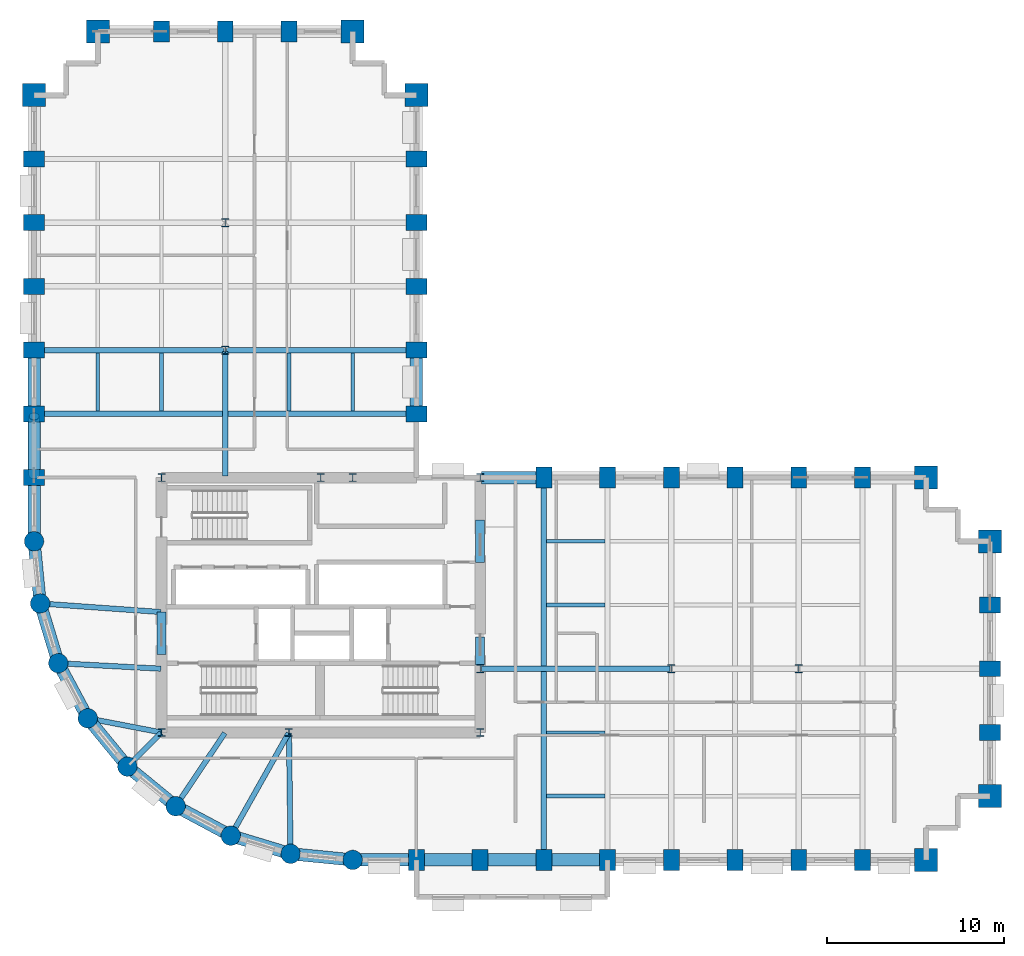
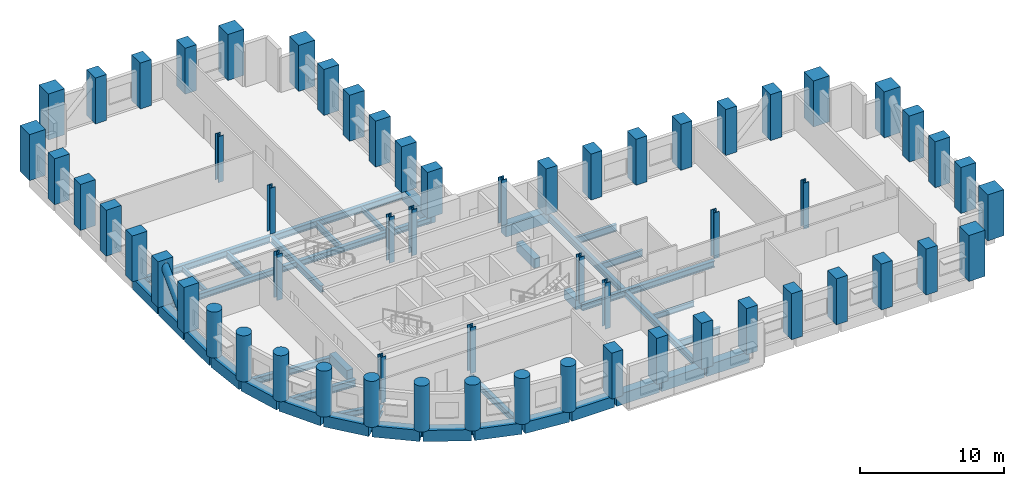
# One storey, part 1 of 12: 60 columns, 41 beams, 1 member.
"""IFC4 building model written with IfcOpenShell, lengths in metres."""

from ifc_helpers import new_model, si_unit, direction, frame, origin, origin_2d, place, context, subcontext, project, spatial, rectangle, circle, hollow_circle, i_section, extrude, material, material_profile, profile_set, type_object, element, save


model = new_model("IFC4")

# Units and contexts
model_context = context("Model", 3, precision=1e-05, world=origin(), true_north=direction((0.0, 1.0)))
body_context = subcontext(model_context, "Body", "Model", "MODEL_VIEW")
ifc_project = project(units=[si_unit("LENGTHUNIT", "METRE"), si_unit("AREAUNIT", "SQUARE_METRE"), si_unit("VOLUMEUNIT", "CUBIC_METRE"), si_unit("PLANEANGLEUNIT", "RADIAN"), si_unit("MASSUNIT", "GRAM", prefix="KILO")], contexts=[model_context])

# Site, building, storey
site_placement = place(None, origin())
site = spatial("IfcSite", under=ifc_project, at=site_placement, CompositionType="ELEMENT")
building_placement = place(site_placement, origin())
building = spatial("IfcBuilding", under=site, at=building_placement, Name="Solnavia Interchange Tower", CompositionType="ELEMENT")
storey_placement = place(building_placement, frame((0.0, 0.0, 31.800048828125)))
storey = spatial("IfcBuildingStorey", under=building, at=storey_placement, Name="L07", CompositionType="ELEMENT", Elevation=31.800048828125)

# Columns
ifc_material_1 = material(Name="Concrete C60/75", Category="concrete")
ifc_material_profile_1 = material_profile(ifc_material_1, rectangle(XDim=0.89990234375, YDim=1.199951171875, at=origin_2d()), Name="RC 1200x900")
ifc_profile_set_1 = profile_set([ifc_material_profile_1], Name="Concrete C60/75")
column_type_1 = type_object("IfcColumnType", Name="Col-RC-1200x900", PredefinedType="COLUMN", material=ifc_profile_set_1)
for number, where, z_axis, x_axis, name in (
    (1, (7.199951171875, 25.199951171875, 0.0), (0.0, 0.0, 1.0), (0.0, 1.0, 0.0), "COL-L07-02 Tower perim y column"),
    (2, (7.199951171875, 28.800048828125, 0.0), (0.0, 0.0, 1.0), (0.0, 1.0, 0.0), "COL-L07-03 Tower perim y column"),
    (3, (7.199951171875, 32.39990234375, 0.0), (0.0, 0.0, 1.0), (0.0, 1.0, 0.0), "COL-L07-04 Tower perim y column"),
    (4, (7.199951171875, 36.0, 0.0), (0.0, 0.0, 1.0), (0.0, 1.0, 0.0), "COL-L07-05 Tower perim y column"),
    (5, (7.199951171875, 39.60009765625, 0.0), (0.0, 0.0, 1.0), (0.0, 1.0, 0.0), "COL-L07-06 Tower perim y column"),
    (6, (7.199951171875, 43.199951171875, 0.0), (0.0, 0.0, 1.0), (0.0, 1.0, 0.0), "COL-L07-07 Tower perim y column"),
    (7, (14.39990234375, 50.39990234375, 0.0), (0.0, 0.0, 1.0), (1.0, 0.0, 0.0), "COL-L07-16 Tower perim x column"),
    (8, (18.0, 50.39990234375, 0.0), (0.0, 0.0, 1.0), (1.0, 0.0, 0.0), "COL-L07-20 Tower perim x column"),
    (9, (21.60009765625, 50.39990234375, 0.0), (0.0, 0.0, 1.0), (1.0, 0.0, 0.0), "COL-L07-23 Tower perim x column"),
    (10, (28.800048828125, 3.60009765625, 0.0), (0.0, 0.0, 1.0), (1.0, 0.0, 0.0), "COL-L07-29 Tower perim x column"),
    (11, (28.800048828125, 28.800048828125, 0.0), (0.0, 0.0, 1.0), (0.0, 1.0, 0.0), "COL-L07-30 Tower perim y column"),
    (12, (28.800048828125, 32.39990234375, 0.0), (0.0, 0.0, 1.0), (0.0, 1.0, 0.0), "COL-L07-31 Tower perim y column"),
    (13, (28.800048828125, 36.0, 0.0), (0.0, 0.0, 1.0), (0.0, 1.0, 0.0), "COL-L07-32 Tower perim y column"),
    (14, (28.800048828125, 39.60009765625, 0.0), (0.0, 0.0, 1.0), (0.0, 1.0, 0.0), "COL-L07-33 Tower perim y column"),
    (15, (28.800048828125, 43.199951171875, 0.0), (0.0, 0.0, 1.0), (0.0, 1.0, 0.0), "COL-L07-34 Tower perim y column"),
    (16, (32.39990234375, 3.60009765625, 0.0), (0.0, 0.0, 1.0), (1.0, 0.0, 0.0), "COL-L07-36 Tower perim x column"),
    (17, (36.0, 3.60009765625, 0.0), (0.0, 0.0, 1.0), (1.0, 0.0, 0.0), "COL-L07-40 Tower perim x column"),
    (18, (36.0, 25.199951171875, 0.0), (0.0, 0.0, 1.0), (1.0, 0.0, 0.0), "COL-L07-41 Tower perim x column"),
    (19, (39.60009765625, 3.60009765625, 0.0), (0.0, 0.0, 1.0), (1.0, 0.0, 0.0), "COL-L07-42 Tower perim x column"),
    (20, (39.60009765625, 25.199951171875, 0.0), (0.0, 0.0, 1.0), (1.0, 0.0, 0.0), "COL-L07-43 Tower perim x column"),
    (21, (43.199951171875, 3.60009765625, 0.0), (0.0, 0.0, 1.0), (1.0, 0.0, 0.0), "COL-L07-44 Tower perim x column"),
    (22, (43.199951171875, 25.199951171875, 0.0), (0.0, 0.0, 1.0), (1.0, 0.0, 0.0), "COL-L07-46 Tower perim x column"),
    (23, (46.800048828125, 3.60009765625, 0.0), (0.0, 0.0, 1.0), (1.0, 0.0, 0.0), "COL-L07-47 Tower perim x column"),
    (24, (46.800048828125, 25.199951171875, 0.0), (0.0, 0.0, 1.0), (1.0, 0.0, 0.0), "COL-L07-48 Tower perim x column"),
    (25, (50.39990234375, 3.60009765625, 0.0), (0.0, 0.0, 1.0), (1.0, 0.0, 0.0), "COL-L07-49 Tower perim x column"),
    (26, (50.39990234375, 25.199951171875, 0.0), (0.0, 0.0, 1.0), (1.0, 0.0, 0.0), "COL-L07-51 Tower perim x column"),
    (27, (54.0, 3.60009765625, 0.0), (0.0, 0.0, 1.0), (1.0, 0.0, 0.0), "COL-L07-52 Tower perim x column"),
    (28, (54.0, 25.199951171875, 0.0), (0.0, 0.0, 1.0), (1.0, 0.0, 0.0), "COL-L07-53 Tower perim x column"),
    (29, (61.199951171875, 10.800048828125, 0.0), (0.0, 0.0, 1.0), (0.0, 1.0, 0.0), "COL-L07-57 Tower perim y column"),
    (30, (61.199951171875, 14.39990234375, 0.0), (0.0, 0.0, 1.0), (0.0, 1.0, 0.0), "COL-L07-58 Tower perim y column"),
    (31, (61.199951171875, 18.0, 0.0), (0.0, 0.0, 1.0), (0.0, 1.0, 0.0), "COL-L07-59 Tower perim y column"),
):
    element("IfcColumn", number, at=place(storey_placement, frame(where, z_axis=z_axis, x_axis=x_axis)), inside=storey, type_object=column_type_1, Name=name, PredefinedType="COLUMN", context=body_context, shape_type="SweptSolid", body=[
        extrude(rectangle(XDim=0.89990234375, YDim=1.199951171875, at=origin_2d()), origin(), (0.0, 0.0, 1.0), 3.89990234375),
    ])
ifc_material_profile_2 = material_profile(ifc_material_1, rectangle(XDim=1.300048828125, YDim=1.300048828125, at=origin_2d()), Name="RC 1300x1300")
ifc_profile_set_2 = profile_set([ifc_material_profile_2], Name="Concrete C60/75")
column_type_2 = type_object("IfcColumnType", Name="Col-RC-1300x1300", PredefinedType="COLUMN", material=ifc_profile_set_2)
for number, where, z_axis, x_axis, name in (
    (32, (7.199951171875, 46.800048828125, 0.0), (0.0, 0.0, 1.0), (0.0, 1.0, 0.0), "COL-L07-08 Tower corner column"),
    (33, (10.800048828125, 50.39990234375, 0.0), (0.0, 0.0, 1.0), (1.0, 0.0, 0.0), "COL-L07-12 Tower corner column"),
    (34, (25.199951171875, 50.39990234375, 0.0), (0.0, 0.0, 1.0), (1.0, 0.0, 0.0), "COL-L07-28 Tower corner column"),
    (35, (28.800048828125, 46.800048828125, 0.0), (0.0, 0.0, 1.0), (0.0, 1.0, 0.0), "COL-L07-35 Tower corner column"),
    (36, (57.60009765625, 3.60009765625, 0.0), (0.0, 0.0, 1.0), (1.0, 0.0, 0.0), "COL-L07-54 Tower corner column"),
    (37, (57.60009765625, 25.199951171875, 0.0), (0.0, 0.0, 1.0), (1.0, 0.0, 0.0), "COL-L07-55 Tower corner column"),
    (38, (61.199951171875, 7.199951171875, 0.0), (0.0, 0.0, 1.0), (1.0, 0.0, 0.0), "COL-L07-56 Tower corner column"),
    (39, (61.199951171875, 21.60009765625, 0.0), (0.0, 0.0, 1.0), (0.0, 1.0, 0.0), "COL-L07-60 Tower corner column"),
):
    element("IfcColumn", number, at=place(storey_placement, frame(where, z_axis=z_axis, x_axis=x_axis)), inside=storey, type_object=column_type_2, Name=name, PredefinedType="COLUMN", context=body_context, shape_type="SweptSolid", body=[
        extrude(rectangle(XDim=1.300048828125, YDim=1.300048828125, at=origin_2d()), origin(), (0.0, 0.0, 1.0), 3.89990234375),
    ])
ifc_material_profile_3 = material_profile(ifc_material_1, circle(Radius=0.550048828125, at=origin_2d()), Name="RC D1100")
ifc_profile_set_3 = profile_set([ifc_material_profile_3], Name="Concrete C60/75")
column_type_3 = type_object("IfcColumnType", Name="Col-RC-D1100", PredefinedType="COLUMN", material=ifc_profile_set_3)
for number, where, z_axis, x_axis, name in (
    (40, (7.199951171875, 21.60009765625, 0.0), (0.0, 0.0, 1.0), (1.0, 0.0, 0.0), "COL-L07-01 Tower drum column"),
    (41, (7.5458984375, 18.087890625, 0.0), (0.0, 0.0, 1.0), (1.0, 0.0, 0.0), "COL-L07-09 Tower drum column"),
    (42, (8.570068359375, 14.7119140625, 0.0), (0.0, 0.0, 1.0), (1.0, 0.0, 0.0), "COL-L07-10 Tower drum column"),
    (43, (10.23388671875, 11.60009765625, 0.0), (0.0, 0.0, 1.0), (1.0, 0.0, 0.0), "COL-L07-11 Tower drum column"),
    (44, (12.471923828125, 8.8720703125, 0.0), (0.0, 0.0, 1.0), (1.0, 0.0, 0.0), "COL-L07-13 Tower drum column"),
    (45, (15.199951171875, 6.634033203125, 0.0), (0.0, 0.0, 1.0), (1.0, 0.0, 0.0), "COL-L07-17 Tower drum column"),
    (46, (18.31201171875, 4.969970703125, 0.0), (0.0, 0.0, 1.0), (1.0, 0.0, 0.0), "COL-L07-21 Tower drum column"),
    (47, (21.68798828125, 3.946044921875, 0.0), (0.0, 0.0, 1.0), (1.0, 0.0, 0.0), "COL-L07-24 Tower drum column"),
    (48, (25.199951171875, 3.60009765625, 0.0), (0.0, 0.0, 1.0), (1.0, 0.0, 0.0), "COL-L07-26 Tower drum column"),
):
    element("IfcColumn", number, at=place(storey_placement, frame(where, z_axis=z_axis, x_axis=x_axis)), inside=storey, type_object=column_type_3, Name=name, PredefinedType="COLUMN", context=body_context, shape_type="SweptSolid", body=[
        extrude(circle(Radius=0.550048828125, at=origin_2d()), origin(), (0.0, 0.0, 1.0), 3.89990234375),
    ])
ifc_material_2 = material(Name="Steel S355", Category="steel")
ifc_material_profile_4 = material_profile(ifc_material_2, i_section(OverallWidth=0.424072265625, OverallDepth=0.467041015625, WebThickness=0.032958984375, FlangeThickness=0.053466796875, FilletRadius=0.014892578125, at=origin_2d()), Name="HD 400x509")
ifc_profile_set_4 = profile_set([ifc_material_profile_4], Name="Steel S355")
column_type_4 = type_object("IfcColumnType", Name="Col-Steel-HD400x509", PredefinedType="COLUMN", material=ifc_profile_set_4)
for number, where, z_axis, x_axis, name in (
    (49, (14.39990234375, 10.800048828125, 0.0), (0.0, 0.0, 1.0), (1.0, 0.0, 0.0), "COL-L07-14 Tower interior column"),
    (50, (14.39990234375, 25.199951171875, 0.0), (0.0, 0.0, 1.0), (1.0, 0.0, 0.0), "COL-L07-15 Tower interior column"),
    (51, (18.0, 32.39990234375, 0.0), (0.0, 0.0, 1.0), (1.0, 0.0, 0.0), "COL-L07-18 Tower interior column"),
    (52, (18.0, 39.60009765625, 0.0), (0.0, 0.0, 1.0), (1.0, 0.0, 0.0), "COL-L07-19 Tower interior column"),
    (53, (21.60009765625, 10.800048828125, 0.0), (0.0, 0.0, 1.0), (1.0, 0.0, 0.0), "COL-L07-22 Tower interior column"),
    (54, (23.39990234375, 25.199951171875, 0.0), (0.0, 0.0, 1.0), (1.0, 0.0, 0.0), "COL-L07-25 Tower interior column"),
    (55, (25.199951171875, 25.199951171875, 0.0), (0.0, 0.0, 1.0), (1.0, 0.0, 0.0), "COL-L07-27 Tower interior column"),
    (56, (32.39990234375, 10.800048828125, 0.0), (0.0, 0.0, 1.0), (1.0, 0.0, 0.0), "COL-L07-37 Tower interior column"),
    (57, (32.39990234375, 14.39990234375, 0.0), (0.0, 0.0, 1.0), (1.0, 0.0, 0.0), "COL-L07-38 Tower interior column"),
    (58, (32.39990234375, 25.199951171875, 0.0), (0.0, 0.0, 1.0), (1.0, 0.0, 0.0), "COL-L07-39 Tower interior column"),
    (59, (43.199951171875, 14.39990234375, 0.0), (0.0, 0.0, 1.0), (1.0, 0.0, 0.0), "COL-L07-45 Tower interior column"),
    (60, (50.39990234375, 14.39990234375, 0.0), (0.0, 0.0, 1.0), (1.0, 0.0, 0.0), "COL-L07-50 Tower interior column"),
):
    element("IfcColumn", number, at=place(storey_placement, frame(where, z_axis=z_axis, x_axis=x_axis)), inside=storey, type_object=column_type_4, Name=name, PredefinedType="COLUMN", context=body_context, shape_type="SweptSolid", body=[
        extrude(i_section(OverallWidth=0.424072265625, OverallDepth=0.467041015625, WebThickness=0.032958984375, FlangeThickness=0.053466796875, FilletRadius=0.014892578125, at=origin_2d()), origin(), (0.0, 0.0, 1.0), 3.89990234375),
    ])

# Beams
ifc_material_3 = material(Name="Concrete C50/60", Category="concrete")
ifc_material_profile_5 = material_profile(ifc_material_3, rectangle(XDim=0.5, YDim=0.800048828125, at=origin_2d()), Name="RC 500x800")
ifc_profile_set_5 = profile_set([ifc_material_profile_5], Name="Concrete C50/60")
beam_type_1 = type_object("IfcBeamType", Name="Beam-Coupling-RC500x800", PredefinedType="LINTEL", material=ifc_profile_set_5)
beam_1_placement = place(storey_placement, frame((14.39990234375, 15.199951171875, -0.400146484375), z_axis=(0.0, 1.0, 0.0), x_axis=(-1.0, 0.0, 0.0)))
element("IfcBeam", 61, at=beam_1_placement, inside=storey, type_object=beam_type_1, Name="CPB-L07-W1 Core coupling lintel beam", PredefinedType="LINTEL", context=body_context, shape_type="SweptSolid", body=[
    extrude(rectangle(XDim=0.5, YDim=0.800048828125, at=origin_2d()), origin(), (0.0, 0.0, 1.0), 2.400146484375),
])
beam_2_placement = place(storey_placement, frame((32.39990234375, 14.60009765625, -0.400146484375), z_axis=(0.0, 1.0, 0.0), x_axis=(-1.0, 0.0, 0.0)))
element("IfcBeam", 62, at=beam_2_placement, inside=storey, type_object=beam_type_1, Name="CPB-L07-E1 Core coupling lintel beam", PredefinedType="LINTEL", context=body_context, shape_type="SweptSolid", body=[
    extrude(rectangle(XDim=0.5, YDim=0.800048828125, at=origin_2d()), origin(), (0.0, 0.0, 1.0), 1.599853515625),
])
beam_3_placement = place(storey_placement, frame((32.39990234375, 20.39990234375, -0.400146484375), z_axis=(0.0, 1.0, 0.0), x_axis=(-1.0, 0.0, 0.0)))
element("IfcBeam", 63, at=beam_3_placement, inside=storey, type_object=beam_type_1, Name="CPB-L07-E2 Core coupling lintel beam", PredefinedType="LINTEL", context=body_context, shape_type="SweptSolid", body=[
    extrude(rectangle(XDim=0.5, YDim=0.800048828125, at=origin_2d()), origin(), (0.0, 0.0, 1.0), 2.400146484375),
])
ifc_material_4 = material(Name="Steel S460", Category="steel")
ifc_material_profile_6 = material_profile(ifc_material_4, i_section(OverallWidth=0.300048828125, OverallDepth=0.550048828125, WebThickness=0.014892578125, FlangeThickness=0.029052734375, FilletRadius=0.027099609375, at=origin_2d()), Name="HEB 550")
ifc_profile_set_6 = profile_set([ifc_material_profile_6], Name="Steel S460")
beam_type_2 = type_object("IfcBeamType", Name="Beam-Girder-HEB550", PredefinedType="BEAM", material=ifc_profile_set_6)
beam_4_placement = place(storey_placement, frame((32.47998046875, 14.39990234375, -0.525146484375), z_axis=(1.0, 0.0, 0.0), x_axis=(0.0, 1.0, 0.0)))
element("IfcBeam", 64, at=beam_4_placement, inside=storey, type_object=beam_type_2, Name="GRD-L07-ES01 East wing spine girder", PredefinedType="BEAM", context=body_context, shape_type="SweptSolid", body=[
    extrude(i_section(OverallWidth=0.300048828125, OverallDepth=0.550048828125, WebThickness=0.014892578125, FlangeThickness=0.029052734375, FilletRadius=0.027099609375, at=origin_2d()), origin(), (0.0, 0.0, 1.0), 10.64013671875),
])
beam_5_placement = place(storey_placement, frame((36.0, 3.679931640625, -0.525146484375), z_axis=(0.0, 1.0, 0.0), x_axis=(-1.0, 0.0, 0.0)))
element("IfcBeam", 65, at=beam_5_placement, inside=storey, type_object=beam_type_2, Name="GRD-L07-EW04 East wing primary floor girder", PredefinedType="BEAM", context=body_context, shape_type="SweptSolid", body=[
    extrude(i_section(OverallWidth=0.300048828125, OverallDepth=0.550048828125, WebThickness=0.014892578125, FlangeThickness=0.029052734375, FilletRadius=0.027099609375, at=origin_2d()), origin(), (0.0, 0.0, 1.0), 21.440185546875),
])
beam_6_placement = place(storey_placement, frame((18.0, 25.280029296875, -0.525146484375), z_axis=(0.0, 1.0, 0.0), x_axis=(-1.0, 0.0, 0.0)))
element("IfcBeam", 66, at=beam_6_placement, inside=storey, type_object=beam_type_2, Name="GRD-L07-NS12 North wing spine girder", PredefinedType="BEAM", context=body_context, shape_type="SweptSolid", body=[
    extrude(i_section(OverallWidth=0.300048828125, OverallDepth=0.550048828125, WebThickness=0.014892578125, FlangeThickness=0.029052734375, FilletRadius=0.027099609375, at=origin_2d()), origin(), (0.0, 0.0, 1.0), 7.0400390625),
])
for number, where, z_axis, x_axis, name in (
    (67, (7.280029296875, 32.39990234375, -0.525146484375), (1.0, 0.0, 0.0), (0.0, 1.0, 0.0), "GRD-L07-NW16 North wing primary floor girder"),
    (68, (18.080078125, 32.39990234375, -0.525146484375), (1.0, 0.0, 0.0), (0.0, 1.0, 0.0), "GRD-L07-NW17 North wing primary floor girder"),
):
    element("IfcBeam", number, at=place(storey_placement, frame(where, z_axis=z_axis, x_axis=x_axis)), inside=storey, type_object=beam_type_2, Name=name, PredefinedType="BEAM", context=body_context, shape_type="SweptSolid", body=[
        extrude(i_section(OverallWidth=0.300048828125, OverallDepth=0.550048828125, WebThickness=0.014892578125, FlangeThickness=0.029052734375, FilletRadius=0.027099609375, at=origin_2d()), origin(), (0.0, 0.0, 1.0), 10.639892578125),
    ])
beam_7_placement = place(storey_placement, frame((7.625732421875, 18.082275390625, -0.525146484375), z_axis=(0.99747482749, -0.071020902015, 0.0), x_axis=(0.071020902015, 0.99747482749, 0.0)))
element("IfcBeam", 69, at=beam_7_placement, inside=storey, type_object=beam_type_2, Name="GRD-L07-DR22 Drum radial floor girder", PredefinedType="BEAM", context=body_context, shape_type="SweptSolid", body=[
    extrude(i_section(OverallWidth=0.300048828125, OverallDepth=0.550048828125, WebThickness=0.014892578125, FlangeThickness=0.029052734375, FilletRadius=0.027099609375, at=origin_2d()), origin(), (0.0, 0.0, 1.0), 6.75146484375),
])
beam_8_placement = place(storey_placement, frame((12.528564453125, 8.9287109375, -0.525146484375), z_axis=(0.707106781187, 0.707106781187, 0.0), x_axis=(-0.707106781187, 0.707106781187, 0.0)))
element("IfcBeam", 70, at=beam_8_placement, inside=storey, type_object=beam_type_2, Name="GRD-L07-DR25 Drum radial floor girder", PredefinedType="BEAM", context=body_context, shape_type="SweptSolid", body=[
    extrude(i_section(OverallWidth=0.300048828125, OverallDepth=0.550048828125, WebThickness=0.014892578125, FlangeThickness=0.029052734375, FilletRadius=0.027099609375, at=origin_2d()), origin(), (0.0, 0.0, 1.0), 2.6064453125),
])
beam_9_placement = place(storey_placement, frame((21.68701171875, 4.02587890625, -0.525146484375), z_axis=(-0.01283293513, 0.999917654498, 0.0), x_axis=(-0.999917654498, -0.01283293513, 0.0)))
element("IfcBeam", 71, at=beam_9_placement, inside=storey, type_object=beam_type_2, Name="GRD-L07-DR28 Drum radial floor girder", PredefinedType="BEAM", context=body_context, shape_type="SweptSolid", body=[
    extrude(i_section(OverallWidth=0.300048828125, OverallDepth=0.550048828125, WebThickness=0.014892578125, FlangeThickness=0.029052734375, FilletRadius=0.027099609375, at=origin_2d()), origin(), (0.0, 0.0, 1.0), 6.734619140625),
])
ifc_material_profile_7 = material_profile(ifc_material_2, i_section(OverallWidth=0.18994140625, OverallDepth=0.449951171875, WebThickness=0.009521484375, FlangeThickness=0.0146484375, FilletRadius=0.02099609375, at=origin_2d()), Name="IPE 450")
ifc_profile_set_7 = profile_set([ifc_material_profile_7], Name="Steel S355")
beam_type_3 = type_object("IfcBeamType", Name="Beam-Joist-IPE450", PredefinedType="JOIST", material=ifc_profile_set_7)
for number, where, z_axis, x_axis, name in (
    (72, (36.14990234375, 10.800048828125, -0.47509765625), (1.0, 0.0, 0.0), (0.0, 1.0, 0.0), "JST-L07-E06 East wing secondary joist"),
    (73, (10.800048828125, 28.949951171875, -0.47509765625), (0.0, 1.0, 0.0), (-1.0, 0.0, 0.0), "JST-L07-N21 North wing secondary joist"),
    (74, (25.199951171875, 28.949951171875, -0.47509765625), (0.0, 1.0, 0.0), (-1.0, 0.0, 0.0), "JST-L07-N33 North wing secondary joist"),
):
    element("IfcBeam", number, at=place(storey_placement, frame(where, z_axis=z_axis, x_axis=x_axis)), inside=storey, type_object=beam_type_3, Name=name, PredefinedType="JOIST", context=body_context, shape_type="SweptSolid", body=[
        extrude(i_section(OverallWidth=0.18994140625, OverallDepth=0.449951171875, WebThickness=0.009521484375, FlangeThickness=0.0146484375, FilletRadius=0.02099609375, at=origin_2d()), origin(), (0.0, 0.0, 1.0), 3.300048828125),
    ])
ifc_material_profile_8 = material_profile(ifc_material_2, i_section(OverallWidth=0.2099609375, OverallDepth=0.550048828125, WebThickness=0.010986328125, FlangeThickness=0.01708984375, FilletRadius=0.02392578125, at=origin_2d()), Name="IPE 550")
ifc_profile_set_8 = profile_set([ifc_material_profile_8], Name="Steel S355")
beam_type_4 = type_object("IfcBeamType", Name="Beam-Joist-IPE550", PredefinedType="JOIST", material=ifc_profile_set_8)
for number, where, z_axis, x_axis, name in (
    (75, (36.14990234375, 18.0, -0.525146484375), (1.0, 0.0, 0.0), (0.0, 1.0, 0.0), "JST-L07-E11 East wing secondary joist"),
    (76, (21.60009765625, 28.949951171875, -0.525146484375), (0.0, 1.0, 0.0), (-1.0, 0.0, 0.0), "JST-L07-N29 North wing secondary joist"),
):
    element("IfcBeam", number, at=place(storey_placement, frame(where, z_axis=z_axis, x_axis=x_axis)), inside=storey, type_object=beam_type_4, Name=name, PredefinedType="JOIST", context=body_context, shape_type="SweptSolid", body=[
        extrude(i_section(OverallWidth=0.2099609375, OverallDepth=0.550048828125, WebThickness=0.010986328125, FlangeThickness=0.01708984375, FilletRadius=0.02392578125, at=origin_2d()), origin(), (0.0, 0.0, 1.0), 3.300048828125),
    ])
ifc_material_profile_9 = material_profile(ifc_material_2, i_section(OverallWidth=0.219970703125, OverallDepth=0.60009765625, WebThickness=0.011962890625, FlangeThickness=0.01904296875, FilletRadius=0.02392578125, at=origin_2d()), Name="IPE 600")
ifc_profile_set_9 = profile_set([ifc_material_profile_9], Name="Steel S355")
beam_type_5 = type_object("IfcBeamType", Name="Beam-Joist-IPE600", PredefinedType="JOIST", material=ifc_profile_set_9)
for number, where, z_axis, x_axis, name in (
    (77, (36.14990234375, 7.199951171875, -0.550048828125), (1.0, 0.0, 0.0), (0.0, 1.0, 0.0), "JST-L07-E01 East wing secondary joist"),
    (78, (36.14990234375, 21.60009765625, -0.550048828125), (1.0, 0.0, 0.0), (0.0, 1.0, 0.0), "JST-L07-E16 East wing secondary joist"),
    (79, (14.39990234375, 28.949951171875, -0.550048828125), (0.0, 1.0, 0.0), (-1.0, 0.0, 0.0), "JST-L07-N25 North wing secondary joist"),
):
    element("IfcBeam", number, at=place(storey_placement, frame(where, z_axis=z_axis, x_axis=x_axis)), inside=storey, type_object=beam_type_5, Name=name, PredefinedType="JOIST", context=body_context, shape_type="SweptSolid", body=[
        extrude(i_section(OverallWidth=0.219970703125, OverallDepth=0.60009765625, WebThickness=0.011962890625, FlangeThickness=0.01904296875, FilletRadius=0.02392578125, at=origin_2d()), origin(), (0.0, 0.0, 1.0), 3.300048828125),
    ])
ifc_material_profile_10 = material_profile(ifc_material_2, i_section(OverallWidth=0.300048828125, OverallDepth=0.489990234375, WebThickness=0.011962890625, FlangeThickness=0.02294921875, FilletRadius=0.027099609375, at=origin_2d()), Name="HEA 500")
ifc_profile_set_10 = profile_set([ifc_material_profile_10], Name="Steel S355")
beam_type_6 = type_object("IfcBeamType", Name="Beam-Primary-HEA500", PredefinedType="BEAM", material=ifc_profile_set_10)
beam_10_placement = place(storey_placement, frame((7.280029296875, 28.800048828125, -0.4951171875), z_axis=(1.0, 0.0, 0.0), x_axis=(0.0, 1.0, 0.0)))
element("IfcBeam", 80, at=beam_10_placement, inside=storey, type_object=beam_type_6, Name="GRD-L07-NW15 North wing primary floor girder", PredefinedType="BEAM", context=body_context, shape_type="SweptSolid", body=[
    extrude(i_section(OverallWidth=0.300048828125, OverallDepth=0.489990234375, WebThickness=0.011962890625, FlangeThickness=0.02294921875, FilletRadius=0.027099609375, at=origin_2d()), origin(), (0.0, 0.0, 1.0), 21.43994140625),
])
beam_11_placement = place(storey_placement, frame((10.3125, 11.5849609375, -0.4951171875), z_axis=(0.982057527796, -0.188581579428, 0.0), x_axis=(0.188581579428, 0.982057527796, 0.0)))
element("IfcBeam", 81, at=beam_11_placement, inside=storey, type_object=beam_type_6, Name="GRD-L07-DR24 Drum radial floor girder", PredefinedType="BEAM", context=body_context, shape_type="SweptSolid", body=[
    extrude(i_section(OverallWidth=0.300048828125, OverallDepth=0.489990234375, WebThickness=0.011962890625, FlangeThickness=0.02294921875, FilletRadius=0.027099609375, at=origin_2d()), origin(), (0.0, 0.0, 1.0), 4.1220703125),
])
beam_12_placement = place(storey_placement, frame((18.351318359375, 5.039794921875, -0.4951171875), z_axis=(0.491243158486, 0.871022479182, 0.0), x_axis=(-0.871022479182, 0.491243158486, 0.0)))
element("IfcBeam", 82, at=beam_12_placement, inside=storey, type_object=beam_type_6, Name="GRD-L07-DR27 Drum radial floor girder", PredefinedType="BEAM", context=body_context, shape_type="SweptSolid", body=[
    extrude(i_section(OverallWidth=0.300048828125, OverallDepth=0.489990234375, WebThickness=0.011962890625, FlangeThickness=0.02294921875, FilletRadius=0.027099609375, at=origin_2d()), origin(), (0.0, 0.0, 1.0), 6.5732421875),
])
ifc_material_profile_11 = material_profile(ifc_material_2, i_section(OverallWidth=0.300048828125, OverallDepth=0.590087890625, WebThickness=0.012939453125, FlangeThickness=0.02490234375, FilletRadius=0.027099609375, at=origin_2d()), Name="HEA 600")
ifc_profile_set_11 = profile_set([ifc_material_profile_11], Name="Steel S355")
beam_type_7 = type_object("IfcBeamType", Name="Beam-Primary-HEA600", PredefinedType="BEAM", material=ifc_profile_set_11)
beam_13_placement = place(storey_placement, frame((8.64990234375, 14.707763671875, -0.545166015625), z_axis=(0.998570371303, -0.053452909696, 0.0), x_axis=(0.053452909696, 0.998570371303, 0.0)))
element("IfcBeam", 83, at=beam_13_placement, inside=storey, type_object=beam_type_7, Name="GRD-L07-DR23 Drum radial floor girder", PredefinedType="BEAM", context=body_context, shape_type="SweptSolid", body=[
    extrude(i_section(OverallWidth=0.300048828125, OverallDepth=0.590087890625, WebThickness=0.012939453125, FlangeThickness=0.02490234375, FilletRadius=0.027099609375, at=origin_2d()), origin(), (0.0, 0.0, 1.0), 5.71826171875),
])
beam_14_placement = place(storey_placement, frame((15.24462890625, 6.700439453125, -0.545166015625), z_axis=(0.557835474219, 0.829951555033, 0.0), x_axis=(-0.829951555033, 0.557835474219, 0.0)))
element("IfcBeam", 84, at=beam_14_placement, inside=storey, type_object=beam_type_7, Name="GRD-L07-DR26 Drum radial floor girder", PredefinedType="BEAM", context=body_context, shape_type="SweptSolid", body=[
    extrude(i_section(OverallWidth=0.300048828125, OverallDepth=0.590087890625, WebThickness=0.012939453125, FlangeThickness=0.02490234375, FilletRadius=0.027099609375, at=origin_2d()), origin(), (0.0, 0.0, 1.0), 4.899658203125),
])
ifc_material_profile_12 = material_profile(ifc_material_3, rectangle(XDim=0.699951171875, YDim=0.949951171875, at=origin_2d()), Name="RC 700x950")
ifc_profile_set_12 = profile_set([ifc_material_profile_12], Name="Concrete C50/60")
beam_type_8 = type_object("IfcBeamType", Name="Beam-Spandrel-RC700x950", PredefinedType="SPANDREL", material=ifc_profile_set_12)
beam_15_placement = place(storey_placement, frame((7.207763671875, 21.5205078125, -0.47509765625), z_axis=(0.098040038117, -0.995182471171, 0.0), x_axis=(0.995182471171, 0.098040038117, 0.0)))
element("IfcBeam", 85, at=beam_15_placement, inside=storey, type_object=beam_type_8, Name="SPB-L07-01 Framed-tube perimeter spandrel beam", PredefinedType="SPANDREL", context=body_context, shape_type="SweptSolid", body=[
    extrude(rectangle(XDim=0.699951171875, YDim=0.949951171875, at=origin_2d()), origin(), (0.0, 0.0, 1.0), 3.369140625),
])
beam_16_placement = place(storey_placement, frame((7.569091796875, 18.011474609375, -0.47509765625), z_axis=(0.290319223646, -0.956929855518, 0.0), x_axis=(0.956929855518, 0.290319223646, 0.0)))
element("IfcBeam", 86, at=beam_16_placement, inside=storey, type_object=beam_type_8, Name="SPB-L07-02 Framed-tube perimeter spandrel beam", PredefinedType="SPANDREL", context=body_context, shape_type="SweptSolid", body=[
    extrude(rectangle(XDim=0.699951171875, YDim=0.949951171875, at=origin_2d()), origin(), (0.0, 0.0, 1.0), 3.367919921875),
])
beam_17_placement = place(storey_placement, frame((8.607666015625, 14.6416015625, -0.47509765625), z_axis=(0.471509422952, -0.881861023102, 0.0), x_axis=(0.881861023102, 0.471509422952, 0.0)))
element("IfcBeam", 87, at=beam_17_placement, inside=storey, type_object=beam_type_8, Name="SPB-L07-03 Framed-tube perimeter spandrel beam", PredefinedType="SPANDREL", context=body_context, shape_type="SweptSolid", body=[
    extrude(rectangle(XDim=0.699951171875, YDim=0.949951171875, at=origin_2d()), origin(), (0.0, 0.0, 1.0), 3.369140625),
])
for number, where, z_axis, x_axis, name in (
    (88, (10.28466796875, 11.5380859375, -0.47509765625), (0.634298841675, -0.773087950656, 0.0), (0.773087950656, 0.634298841675, 0.0), "SPB-L07-04 Framed-tube perimeter spandrel beam"),
    (89, (12.53369140625, 8.8212890625, -0.47509765625), (0.773152644452, -0.634219984214, 0.0), (0.634219984214, 0.773152644452, 0.0), "SPB-L07-05 Framed-tube perimeter spandrel beam"),
):
    element("IfcBeam", number, at=place(storey_placement, frame(where, z_axis=z_axis, x_axis=x_axis)), inside=storey, type_object=beam_type_8, Name=name, PredefinedType="SPANDREL", context=body_context, shape_type="SweptSolid", body=[
        extrude(rectangle(XDim=0.699951171875, YDim=0.949951171875, at=origin_2d()), origin(), (0.0, 0.0, 1.0), 3.36865234375),
    ])
beam_18_placement = place(storey_placement, frame((15.2705078125, 6.59619140625, -0.47509765625), z_axis=(0.881875044348, -0.47148319817, 0.0), x_axis=(0.47148319817, 0.881875044348, 0.0)))
element("IfcBeam", 90, at=beam_18_placement, inside=storey, type_object=beam_type_8, Name="SPB-L07-06 Framed-tube perimeter spandrel beam", PredefinedType="SPANDREL", context=body_context, shape_type="SweptSolid", body=[
    extrude(rectangle(XDim=0.699951171875, YDim=0.949951171875, at=origin_2d()), origin(), (0.0, 0.0, 1.0), 3.368896484375),
])
beam_19_placement = place(storey_placement, frame((18.388671875, 4.94677734375, -0.47509765625), z_axis=(0.956943884494, -0.290272978297, 0.0), x_axis=(0.290272978297, 0.956943884494, 0.0)))
element("IfcBeam", 91, at=beam_19_placement, inside=storey, type_object=beam_type_8, Name="SPB-L07-07 Framed-tube perimeter spandrel beam", PredefinedType="SPANDREL", context=body_context, shape_type="SweptSolid", body=[
    extrude(rectangle(XDim=0.699951171875, YDim=0.949951171875, at=origin_2d()), origin(), (0.0, 0.0, 1.0), 3.36767578125),
])
beam_20_placement = place(storey_placement, frame((21.767578125, 3.938232421875, -0.47509765625), z_axis=(0.995181774609, -0.098047108501, 0.0), x_axis=(0.098047108501, 0.995181774609, 0.0)))
element("IfcBeam", 92, at=beam_20_placement, inside=storey, type_object=beam_type_8, Name="SPB-L07-08 Framed-tube perimeter spandrel beam", PredefinedType="SPANDREL", context=body_context, shape_type="SweptSolid", body=[
    extrude(rectangle(XDim=0.699951171875, YDim=0.949951171875, at=origin_2d()), origin(), (0.0, 0.0, 1.0), 3.368896484375),
])
beam_21_placement = place(storey_placement, frame((25.280029296875, 3.60009765625, -0.47509765625), z_axis=(1.0, 0.0, 0.0), x_axis=(0.0, 1.0, 0.0)))
element("IfcBeam", 93, at=beam_21_placement, inside=storey, type_object=beam_type_8, Name="SPB-L07-09 Framed-tube perimeter spandrel beam", PredefinedType="SPANDREL", context=body_context, shape_type="SweptSolid", body=[
    extrude(rectangle(XDim=0.699951171875, YDim=0.949951171875, at=origin_2d()), origin(), (0.0, 0.0, 1.0), 3.43994140625),
])
beam_22_placement = place(storey_placement, frame((28.8798828125, 3.60009765625, -0.47509765625), z_axis=(1.0, 0.0, 0.0), x_axis=(0.0, 1.0, 0.0)))
element("IfcBeam", 94, at=beam_22_placement, inside=storey, type_object=beam_type_8, Name="SPB-L07-10 Framed-tube perimeter spandrel beam", PredefinedType="SPANDREL", context=body_context, shape_type="SweptSolid", body=[
    extrude(rectangle(XDim=0.699951171875, YDim=0.949951171875, at=origin_2d()), origin(), (0.0, 0.0, 1.0), 3.440185546875),
])
for number, where, z_axis, x_axis, name in (
    (95, (32.47998046875, 3.60009765625, -0.47509765625), (1.0, 0.0, 0.0), (0.0, 1.0, 0.0), "SPB-L07-11 Framed-tube perimeter spandrel beam"),
    (96, (36.080078125, 3.60009765625, -0.47509765625), (1.0, 0.0, 0.0), (0.0, 1.0, 0.0), "SPB-L07-12 Framed-tube perimeter spandrel beam"),
    (97, (35.919921875, 25.199951171875, -0.47509765625), (-1.0, 0.0, 0.0), (0.0, -1.0, 0.0), "SPB-L07-28 Framed-tube perimeter spandrel beam"),
):
    element("IfcBeam", number, at=place(storey_placement, frame(where, z_axis=z_axis, x_axis=x_axis)), inside=storey, type_object=beam_type_8, Name=name, PredefinedType="SPANDREL", context=body_context, shape_type="SweptSolid", body=[
        extrude(rectangle(XDim=0.699951171875, YDim=0.949951171875, at=origin_2d()), origin(), (0.0, 0.0, 1.0), 3.43994140625),
    ])
for number, where, z_axis, x_axis, name in (
    (98, (28.800048828125, 28.8798828125, -0.47509765625), (0.0, 1.0, 0.0), (-1.0, 0.0, 0.0), "SPB-L07-29 Framed-tube perimeter spandrel beam"),
    (99, (7.199951171875, 32.320068359375, -0.47509765625), (0.0, -1.0, 0.0), (1.0, 0.0, 0.0), "SPB-L07-42 Framed-tube perimeter spandrel beam"),
):
    element("IfcBeam", number, at=place(storey_placement, frame(where, z_axis=z_axis, x_axis=x_axis)), inside=storey, type_object=beam_type_8, Name=name, PredefinedType="SPANDREL", context=body_context, shape_type="SweptSolid", body=[
        extrude(rectangle(XDim=0.699951171875, YDim=0.949951171875, at=origin_2d()), origin(), (0.0, 0.0, 1.0), 3.440185546875),
    ])
beam_23_placement = place(storey_placement, frame((7.199951171875, 28.719970703125, -0.47509765625), z_axis=(0.0, -1.0, 0.0), x_axis=(1.0, 0.0, 0.0)))
element("IfcBeam", 100, at=beam_23_placement, inside=storey, type_object=beam_type_8, Name="SPB-L07-43 Framed-tube perimeter spandrel beam", PredefinedType="SPANDREL", context=body_context, shape_type="SweptSolid", body=[
    extrude(rectangle(XDim=0.699951171875, YDim=0.949951171875, at=origin_2d()), origin(), (0.0, 0.0, 1.0), 3.43994140625),
])
beam_24_placement = place(storey_placement, frame((7.199951171875, 25.1201171875, -0.47509765625), z_axis=(0.0, -1.0, 0.0), x_axis=(1.0, 0.0, 0.0)))
element("IfcBeam", 101, at=beam_24_placement, inside=storey, type_object=beam_type_8, Name="SPB-L07-44 Framed-tube perimeter spandrel beam", PredefinedType="SPANDREL", context=body_context, shape_type="SweptSolid", body=[
    extrude(rectangle(XDim=0.699951171875, YDim=0.949951171875, at=origin_2d()), origin(), (0.0, 0.0, 1.0), 3.440185546875),
])

# Member
ifc_material_profile_13 = material_profile(ifc_material_4, hollow_circle(Radius=0.304931640625, WallThickness=0.02490234375, at=origin_2d()), Name="CHS 610x25")
ifc_profile_set_13 = profile_set([ifc_material_profile_13], Name="Steel S460")
member_type = type_object("IfcMemberType", Name="Brace-Perim-CHS610", PredefinedType="BRACE", material=ifc_profile_set_13)
member_placement = place(storey_placement, frame((7.199951171875, 25.340087890625, 0.179931640625), z_axis=(0.0, 0.710285911997, 0.703913292401), x_axis=(-1.0, 0.0, 0.0)))
element("IfcMember", 102, at=member_placement, inside=storey, type_object=member_type, Name="BRC-L07-01 Perimeter tube diagonal brace", PredefinedType="BRACE", context=body_context, shape_type="SweptSolid", body=[
    extrude(hollow_circle(Radius=0.304931640625, WallThickness=0.02490234375, at=origin_2d()), origin(), (0.0, 0.0, 1.0), 4.673828125),
])

save(model, "model.ifc")
